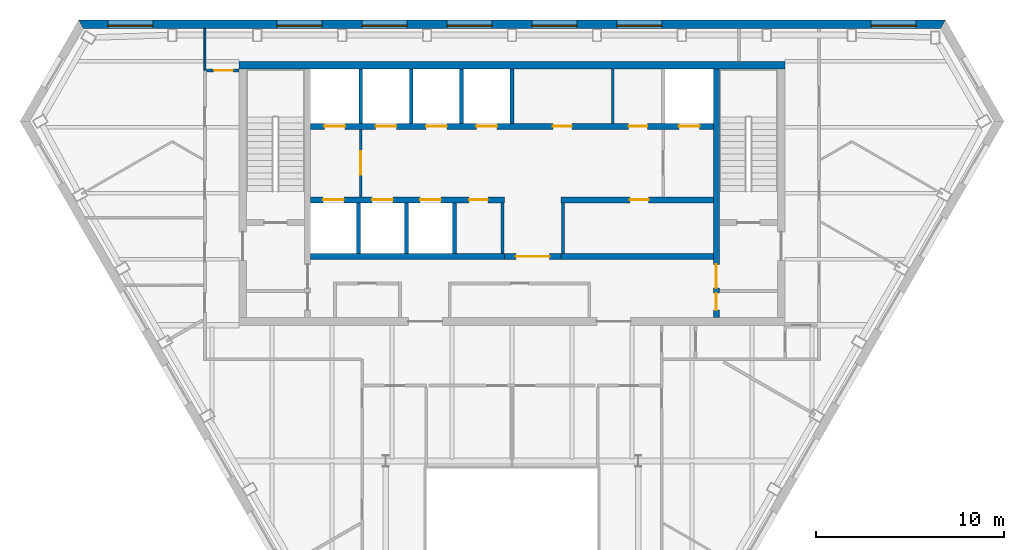
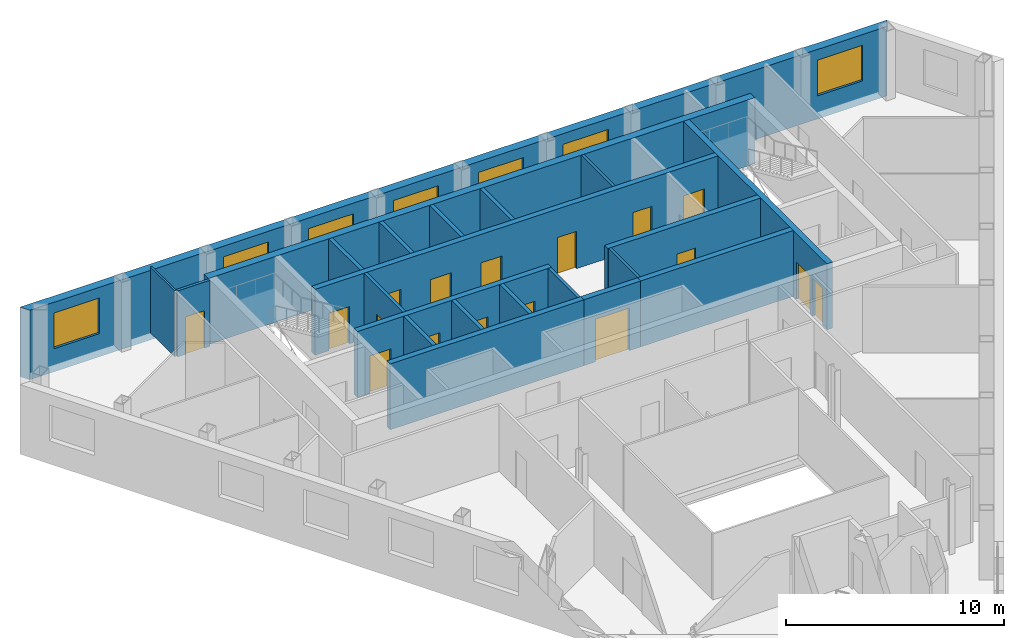
# One storey, part 6 of 10: 22 walls, 17 doors, 7 windows, 24 openings.
"""IFC4 building model written with IfcOpenShell, lengths in metres."""

from ifc_helpers import new_model, si_unit, direction, frame, frame_2d, origin, place, context, subcontext, project, spatial, polyline, rectangle, outline, extrude, material, layer, layer_set, type_object, element, fill, save


model = new_model("IFC4")

# Units and contexts
model_context = context("Model", 3, precision=1e-05, world=origin(), true_north=direction((0.0, 1.0)))
body_context = subcontext(model_context, "Body", "Model", "MODEL_VIEW")
ifc_project = project(units=[si_unit("LENGTHUNIT", "METRE"), si_unit("AREAUNIT", "SQUARE_METRE"), si_unit("VOLUMEUNIT", "CUBIC_METRE"), si_unit("PLANEANGLEUNIT", "RADIAN"), si_unit("MASSUNIT", "GRAM", prefix="KILO")], contexts=[model_context])

# Site, building, storey
site_placement = place(None, origin())
site = spatial("IfcSite", under=ifc_project, at=site_placement, CompositionType="ELEMENT")
building_placement = place(site_placement, origin())
building = spatial("IfcBuilding", under=site, at=building_placement, Name="Njiva Tower", CompositionType="ELEMENT")
storey_placement = place(building_placement, frame((0.0, 0.0, 249.3)))
storey = spatial("IfcBuildingStorey", under=building, at=storey_placement, Name="L56", CompositionType="ELEMENT", Elevation=249.3)

# Walls
ifc_material_1 = material(Name="Blockwork", Category="masonry")
ifc_layer_1 = layer(ifc_material_1, 0.15)
ifc_layer_set_1 = layer_set([ifc_layer_1], Name="Blockwork")
wall_type_1 = type_object("IfcWallType", Name="WT1 Compartment partition 150", PredefinedType="PARTITIONING", material=ifc_layer_set_1)
wall_1_placement = place(storey_placement, frame((5.35, 14.7, 0.0), z_axis=(0.0, 0.0, 1.0), x_axis=(0.0, 1.0, 0.0)))
element("IfcWall", 1, at=wall_1_placement, inside=storey, type_object=wall_type_1, Name="Partition CN6", PredefinedType="PARTITIONING", context=body_context, shape_type="SweptSolid", body=[
    extrude(rectangle(XDim=2.9, YDim=0.15, at=frame_2d((1.45, 0.0))), origin(), (0.0, 0.0, 1.0), 3.7),
])
for number, where, z_axis, x_axis, name in (
    (2, (-0.5, 7.8, 0.0), (0.0, 0.0, 1.0), (0.0, 1.0, 0.0), "Partition CS4"),
    (3, (2.7, 7.8, 0.0), (0.0, 0.0, 1.0), (0.0, 1.0, 0.0), "Partition CS5"),
):
    element("IfcWall", number, at=place(storey_placement, frame(where, z_axis=z_axis, x_axis=x_axis)), inside=storey, type_object=wall_type_1, Name=name, PredefinedType="PARTITIONING", context=body_context, shape_type="SweptSolid", body=[
        extrude(rectangle(XDim=2.7, YDim=0.15, at=frame_2d((1.35, 0.0))), origin(), (0.0, 0.0, 1.0), 3.7),
    ])

# Wall, openings, doors
ifc_material_2 = material(Name="Concrete C40/50", Category="concrete")
ifc_layer_2 = layer(ifc_material_2, 0.3)
ifc_layer_set_2 = layer_set([ifc_layer_2], Name="Concrete C40/50")
wall_type_2 = type_object("IfcWallType", Name="WT10 Stair enclosure wall 300", PredefinedType="SHEAR", material=ifc_layer_set_2)
wall_2_placement = place(storey_placement, frame((10.85, 4.4, 0.0), z_axis=(0.0, 0.0, 1.0), x_axis=(0.0, 1.0, 0.0)))
wall_2 = element("IfcWall", 4, at=wall_2_placement, inside=storey, type_object=wall_type_2, Name="Stair wall east inner", PredefinedType="SHEAR", context=body_context, shape_type="SweptSolid", body=[
    extrude(rectangle(XDim=13.2, YDim=0.3, at=frame_2d((6.6, 0.0))), origin(), (0.0, 0.0, 1.0), 3.7),
])
opening_1_placement = place(wall_2_placement, frame((1.575, 0.0, 0.0)))
opening_1 = element("IfcOpeningElement", 5, at=opening_1_placement, cuts=wall_2, Name="Opening S18-D920", PredefinedType="OPENING", context=body_context, shape_type="SweptSolid", body=[
    extrude(rectangle(XDim=1.25, YDim=2.1, at=frame_2d((0.625, 1.05))), frame((0.0, 0.16, 0.0), z_axis=(0.0, -1.0, 0.0), x_axis=(1.0, 0.0, 0.0)), (0.0, 0.0, 1.0), 0.32),
])
opening_2_placement = place(wall_2_placement, frame((0.4, 0.0, 0.0)))
opening_2 = element("IfcOpeningElement", 6, at=opening_2_placement, cuts=wall_2, Name="Opening S18-D922", PredefinedType="OPENING", context=body_context, shape_type="SweptSolid", body=[
    extrude(rectangle(XDim=0.9, YDim=2.1, at=frame_2d((0.45, 1.05))), frame((0.0, 0.16, 0.0), z_axis=(0.0, -1.0, 0.0), x_axis=(1.0, 0.0, 0.0)), (0.0, 0.0, 1.0), 0.32),
])
ifc_material_3 = material(Name="Steel door, painted", Category="steel")
door_type_1 = type_object("IfcDoorType", Name="D13 Steel door 900x2100", OperationType="SINGLE_SWING_LEFT", PredefinedType="DOOR", material=ifc_material_3)
door_1_placement = place(opening_2_placement, origin())
door_1 = element("IfcDoor", 7, at=door_1_placement, inside=storey, type_object=door_type_1, Name="Breakout room door", OperationType="SINGLE_SWING_LEFT", OverallHeight=2.1, OverallWidth=0.9, PredefinedType="DOOR", context=body_context, shape_type="SweptSolid", body=[
    extrude(rectangle(XDim=0.9, YDim=2.1, at=frame_2d((0.45, 1.05))), frame((0.0, 0.025, 0.0), z_axis=(0.0, -1.0, 0.0), x_axis=(1.0, 0.0, 0.0)), (0.0, 0.0, 1.0), 0.05),
])
fill(opening_2, door_1)
ifc_material_4 = material(Name="Glazed steel fire door", Category="steel")
door_type_2 = type_object("IfcDoorType", Name="D8 Vestibule corridor door 1250x2100 glazed", OperationType="SINGLE_SWING_LEFT", PredefinedType="DOOR", material=ifc_material_4)
door_2_placement = place(opening_1_placement, origin())
door_2 = element("IfcDoor", 8, at=door_2_placement, inside=storey, type_object=door_type_2, Name="Stair vestibule corridor door", OperationType="SINGLE_SWING_RIGHT", OverallHeight=2.1, OverallWidth=1.25, PredefinedType="DOOR", context=body_context, shape_type="SweptSolid", body=[
    extrude(rectangle(XDim=1.25, YDim=2.1, at=frame_2d((0.625, 1.05))), frame((0.0, 0.025, 0.0), z_axis=(0.0, -1.0, 0.0), x_axis=(1.0, 0.0, 0.0)), (0.0, 0.0, 1.0), 0.05),
])
fill(opening_1, door_2)

# Wall
ifc_material_5 = material(Name="Concrete C60/75", Category="concrete")
ifc_layer_3 = layer(ifc_material_5, 0.4)
ifc_layer_set_3 = layer_set([ifc_layer_3], Name="Concrete C60/75")
wall_type_3 = type_object("IfcWallType", Name="WT11 Core wall 400", PredefinedType="SHEAR", material=ifc_layer_set_3)
wall_3_placement = place(storey_placement, frame((-14.5, 17.8, 0.0), z_axis=(0.0, 0.0, 1.0), x_axis=(1.0, 0.0, 0.0)))
element("IfcWall", 9, at=wall_3_placement, inside=storey, type_object=wall_type_3, Name="Core wall north", PredefinedType="SHEAR", context=body_context, shape_type="SweptSolid", body=[
    extrude(rectangle(XDim=29.0, YDim=0.4, at=frame_2d((14.5, 0.0))), origin(), (0.0, 0.0, 1.0), 3.7),
])

# Wall, opening, door
ifc_layer_4 = layer(ifc_material_1, 0.15)
ifc_layer_set_4 = layer_set([ifc_layer_4], Name="Blockwork")
wall_type_4 = type_object("IfcWallType", Name="WT2 Lobby partition 150", PredefinedType="PARTITIONING", material=ifc_layer_set_4)
wall_4_placement = place(storey_placement, frame((-8.025, 10.8, 0.0), z_axis=(0.0, 0.0, 1.0), x_axis=(0.0, 1.0, 0.0)))
wall_4 = element("IfcWall", 10, at=wall_4_placement, inside=storey, type_object=wall_type_4, Name="Firefighting lobby wall A", PredefinedType="PARTITIONING", context=body_context, shape_type="SweptSolid", body=[
    extrude(rectangle(XDim=3.6, YDim=0.15, at=frame_2d((1.8, 0.0))), origin(), (0.0, 0.0, 1.0), 3.7),
])
opening_3_placement = place(wall_4_placement, frame((1.175, 0.0, 0.0)))
opening_3 = element("IfcOpeningElement", 11, at=opening_3_placement, cuts=wall_4, Name="Opening S18-D913", PredefinedType="OPENING", context=body_context, shape_type="SweptSolid", body=[
    extrude(rectangle(XDim=1.25, YDim=2.1, at=frame_2d((0.625, 1.05))), frame((0.0, 0.085, 0.0), z_axis=(0.0, -1.0, 0.0), x_axis=(1.0, 0.0, 0.0)), (0.0, 0.0, 1.0), 0.17),
])
door_3_placement = place(opening_3_placement, origin())
door_3 = element("IfcDoor", 12, at=door_3_placement, inside=storey, type_object=door_type_2, Name="Stair vestibule corridor door", OperationType="SINGLE_SWING_RIGHT", OverallHeight=2.1, OverallWidth=1.25, PredefinedType="DOOR", context=body_context, shape_type="SweptSolid", body=[
    extrude(rectangle(XDim=1.25, YDim=2.1, at=frame_2d((0.625, 1.05))), frame((0.0, 0.025, 0.0), z_axis=(0.0, -1.0, 0.0), x_axis=(1.0, 0.0, 0.0)), (0.0, 0.0, 1.0), 0.05),
])
fill(opening_3, door_3)

# Wall
ifc_material_6 = material(Name="Gypsum board on steel studs", Category="gypsum")
ifc_layer_5 = layer(ifc_material_6, 0.1)
ifc_layer_set_5 = layer_set([ifc_layer_5], Name="Gypsum board on steel studs")
wall_type_5 = type_object("IfcWallType", Name="WT20 Gypsum partition 100", PredefinedType="PARTITIONING", material=ifc_layer_set_5)
wall_5_placement = place(storey_placement, frame((-16.3, 17.531, 0.0), z_axis=(0.0, 0.0, 1.0), x_axis=(0.0, 1.0, 0.0)))
element("IfcWall", 13, at=wall_5_placement, inside=storey, type_object=wall_type_5, Name="Partition S18-P007", PredefinedType="PARTITIONING", context=body_context, shape_type="SweptSolid", body=[
    extrude(rectangle(XDim=2.219, YDim=0.1, at=frame_2d((1.1095, 0.0))), origin(), (0.0, 0.0, 1.0), 3.7),
])

# Wall, opening, door
ifc_layer_6 = layer(ifc_material_6, 0.15)
ifc_layer_set_6 = layer_set([ifc_layer_6], Name="Gypsum board on steel studs")
wall_type_6 = type_object("IfcWallType", Name="WT21 Compartment wall 150", PredefinedType="PARTITIONING", material=ifc_layer_set_6)
wall_6_placement = place(storey_placement, frame((-16.225, 17.519, 0.0), z_axis=(0.0, 0.0, 1.0), x_axis=(1.0, 0.0, 0.0)))
wall_6 = element("IfcWall", 14, at=wall_6_placement, inside=storey, type_object=wall_type_6, Name="Partition S18-P009", PredefinedType="PARTITIONING", context=body_context, shape_type="SweptSolid", body=[
    extrude(rectangle(XDim=1.725, YDim=0.15, at=frame_2d((0.8625, 0.0))), origin(), (0.0, 0.0, 1.0), 3.7),
])
opening_4_placement = place(wall_6_placement, frame((0.417, 0.0, 0.0)))
opening_4 = element("IfcOpeningElement", 15, at=opening_4_placement, cuts=wall_6, Name="Opening S18-D005", PredefinedType="OPENING", context=body_context, shape_type="SweptSolid", body=[
    extrude(rectangle(XDim=1.0, YDim=2.1, at=frame_2d((0.5, 1.05))), frame((0.0, 0.085, 0.0), z_axis=(0.0, -1.0, 0.0), x_axis=(1.0, 0.0, 0.0)), (0.0, 0.0, 1.0), 0.17),
])
ifc_material_7 = material(Name="Steel fire door set", Category="steel")
door_type_3 = type_object("IfcDoorType", Name="D37 Fire door 1000x2100", OperationType="SINGLE_SWING_LEFT", PredefinedType="DOOR", material=ifc_material_7)
door_4_placement = place(opening_4_placement, origin())
door_4 = element("IfcDoor", 16, at=door_4_placement, inside=storey, type_object=door_type_3, Name="Door S18-D005", OperationType="SINGLE_SWING_LEFT", OverallHeight=2.1, OverallWidth=1.0, PredefinedType="DOOR", context=body_context, shape_type="SweptSolid", body=[
    extrude(rectangle(XDim=1.0, YDim=2.1, at=frame_2d((0.5, 1.05))), frame((0.0, 0.025, 0.0), z_axis=(0.0, -1.0, 0.0), x_axis=(1.0, 0.0, 0.0)), (0.0, 0.0, 1.0), 0.05),
])
fill(opening_4, door_4)

ifc_layer_7 = layer(ifc_material_1, 0.3)
ifc_layer_set_7 = layer_set([ifc_layer_7], Name="Blockwork")
wall_type_7 = type_object("IfcWallType", Name="WT5 Lobby partition 300", PredefinedType="PARTITIONING", material=ifc_layer_set_7)
wall_7_placement = place(storey_placement, frame((-0.4, 7.65, 0.0), z_axis=(0.0, 0.0, 1.0), x_axis=(1.0, 0.0, 0.0)))
wall_7 = element("IfcWall", 17, at=wall_7_placement, inside=storey, type_object=wall_type_7, Name="Lift lobby screen wall", PredefinedType="PARTITIONING", context=body_context, shape_type="SweptSolid", body=[
    extrude(rectangle(XDim=3.0, YDim=0.3, at=frame_2d((1.5, 0.0))), origin(), (0.0, 0.0, 1.0), 3.7),
])
opening_5_placement = place(wall_7_placement, frame((0.6, 0.0, 0.0)))
opening_5 = element("IfcOpeningElement", 18, at=opening_5_placement, cuts=wall_7, Name="Opening S18-D925", PredefinedType="OPENING", context=body_context, shape_type="SweptSolid", body=[
    extrude(rectangle(XDim=1.8, YDim=2.4, at=frame_2d((0.9, 1.2))), frame((0.0, 0.16, 0.0), z_axis=(0.0, -1.0, 0.0), x_axis=(1.0, 0.0, 0.0)), (0.0, 0.0, 1.0), 0.32),
])
ifc_material_8 = material(Name="Steel and glass door", Category="steel")
door_type_4 = type_object("IfcDoorType", Name="D3 Core entrance door 1800x2400", OperationType="DOUBLE_DOOR_SINGLE_SWING", PredefinedType="DOOR", material=ifc_material_8)
door_5_placement = place(opening_5_placement, origin())
door_5 = element("IfcDoor", 19, at=door_5_placement, inside=storey, type_object=door_type_4, Name="Core entrance door", OperationType="DOUBLE_DOOR_SINGLE_SWING", OverallHeight=2.4, OverallWidth=1.8, PredefinedType="DOOR", context=body_context, shape_type="SweptSolid", body=[
    extrude(rectangle(XDim=1.8, YDim=2.4, at=frame_2d((0.9, 1.2))), frame((0.0, 0.025, 0.0), z_axis=(0.0, -1.0, 0.0), x_axis=(1.0, 0.0, 0.0)), (0.0, 0.0, 1.0), 0.05),
])
fill(opening_5, door_5)

# Walls
ifc_layer_8 = layer(ifc_material_2, 0.2)
ifc_layer_set_8 = layer_set([ifc_layer_8], Name="Concrete C40/50")
wall_type_8 = type_object("IfcWallType", Name="WT6 Lift shaft wall 200", PredefinedType="SHEAR", material=ifc_layer_set_8)
for number, where, z_axis, x_axis, name in (
    (20, (-8.025, 14.7, 0.0), (0.0, 0.0, 1.0), (0.0, 1.0, 0.0), "Shaft wall CN1"),
    (21, (-5.35, 14.7, 0.0), (0.0, 0.0, 1.0), (0.0, 1.0, 0.0), "Shaft wall CN2"),
    (22, (-2.675, 14.7, 0.0), (0.0, 0.0, 1.0), (0.0, 1.0, 0.0), "Shaft wall CN3"),
    (23, (0.0, 14.7, 0.0), (0.0, 0.0, 1.0), (0.0, 1.0, 0.0), "Shaft wall CN4"),
):
    element("IfcWall", number, at=place(storey_placement, frame(where, z_axis=z_axis, x_axis=x_axis)), inside=storey, type_object=wall_type_8, Name=name, PredefinedType="SHEAR", context=body_context, shape_type="SweptSolid", body=[
        extrude(rectangle(XDim=2.9, YDim=0.2, at=frame_2d((1.45, 0.0))), origin(), (0.0, 0.0, 1.0), 3.7),
    ])
for number, where, z_axis, x_axis, name in (
    (24, (-8.15, 7.8, 0.0), (0.0, 0.0, 1.0), (0.0, 1.0, 0.0), "Shaft wall CS1"),
    (25, (-5.6, 7.8, 0.0), (0.0, 0.0, 1.0), (0.0, 1.0, 0.0), "Shaft wall CS2"),
    (26, (-3.05, 7.8, 0.0), (0.0, 0.0, 1.0), (0.0, 1.0, 0.0), "Shaft wall CS3"),
):
    element("IfcWall", number, at=place(storey_placement, frame(where, z_axis=z_axis, x_axis=x_axis)), inside=storey, type_object=wall_type_8, Name=name, PredefinedType="SHEAR", context=body_context, shape_type="SweptSolid", body=[
        extrude(rectangle(XDim=2.7, YDim=0.2, at=frame_2d((1.35, 0.0))), origin(), (0.0, 0.0, 1.0), 3.7),
    ])

# Wall, openings, doors
ifc_layer_9 = layer(ifc_material_2, 0.3)
ifc_layer_set_9 = layer_set([ifc_layer_9], Name="Concrete C40/50")
wall_type_9 = type_object("IfcWallType", Name="WT7 Lift shaft wall 300", PredefinedType="SHEAR", material=ifc_layer_set_9)
wall_8_placement = place(storey_placement, frame((-10.7, 14.55, 0.0), z_axis=(0.0, 0.0, 1.0), x_axis=(1.0, 0.0, 0.0)))
wall_8 = element("IfcWall", 27, at=wall_8_placement, inside=storey, type_object=wall_type_9, Name="Shaft wall north row lobby side", PredefinedType="SHEAR", context=body_context, shape_type="SweptSolid", body=[
    extrude(rectangle(XDim=21.4, YDim=0.3, at=frame_2d((10.7, 0.0))), origin(), (0.0, 0.0, 1.0), 3.7),
])
opening_6_placement = place(wall_8_placement, frame((0.7375, 0.0, 0.0)))
opening_6 = element("IfcOpeningElement", 28, at=opening_6_placement, cuts=wall_8, Name="Opening S18-D901", PredefinedType="OPENING", context=body_context, shape_type="SweptSolid", body=[
    extrude(rectangle(XDim=1.1, YDim=2.1, at=frame_2d((0.55, 1.05))), frame((0.0, 0.16, 0.0), z_axis=(0.0, -1.0, 0.0), x_axis=(1.0, 0.0, 0.0)), (0.0, 0.0, 1.0), 0.32),
])
opening_7_placement = place(wall_8_placement, frame((3.4625, 0.0, 0.0)))
opening_7 = element("IfcOpeningElement", 29, at=opening_7_placement, cuts=wall_8, Name="Opening S18-D902", PredefinedType="OPENING", context=body_context, shape_type="SweptSolid", body=[
    extrude(rectangle(XDim=1.1, YDim=2.1, at=frame_2d((0.55, 1.05))), frame((0.0, 0.16, 0.0), z_axis=(0.0, -1.0, 0.0), x_axis=(1.0, 0.0, 0.0)), (0.0, 0.0, 1.0), 0.32),
])
opening_8_placement = place(wall_8_placement, frame((6.1375, 0.0, 0.0)))
opening_8 = element("IfcOpeningElement", 30, at=opening_8_placement, cuts=wall_8, Name="Opening S18-D903", PredefinedType="OPENING", context=body_context, shape_type="SweptSolid", body=[
    extrude(rectangle(XDim=1.1, YDim=2.1, at=frame_2d((0.55, 1.05))), frame((0.0, 0.16, 0.0), z_axis=(0.0, -1.0, 0.0), x_axis=(1.0, 0.0, 0.0)), (0.0, 0.0, 1.0), 0.32),
])
opening_9_placement = place(wall_8_placement, frame((8.8125, 0.0, 0.0)))
opening_9 = element("IfcOpeningElement", 31, at=opening_9_placement, cuts=wall_8, Name="Opening S18-D904", PredefinedType="OPENING", context=body_context, shape_type="SweptSolid", body=[
    extrude(rectangle(XDim=1.1, YDim=2.1, at=frame_2d((0.55, 1.05))), frame((0.0, 0.16, 0.0), z_axis=(0.0, -1.0, 0.0), x_axis=(1.0, 0.0, 0.0)), (0.0, 0.0, 1.0), 0.32),
])
opening_10_placement = place(wall_8_placement, frame((19.5625, 0.0, 0.0)))
opening_10 = element("IfcOpeningElement", 32, at=opening_10_placement, cuts=wall_8, Name="Opening S18-D905", PredefinedType="OPENING", context=body_context, shape_type="SweptSolid", body=[
    extrude(rectangle(XDim=1.1, YDim=2.1, at=frame_2d((0.55, 1.05))), frame((0.0, 0.16, 0.0), z_axis=(0.0, -1.0, 0.0), x_axis=(1.0, 0.0, 0.0)), (0.0, 0.0, 1.0), 0.32),
])
opening_11_placement = place(wall_8_placement, frame((12.875, 0.0, 0.0)))
opening_11 = element("IfcOpeningElement", 33, at=opening_11_placement, cuts=wall_8, Name="Opening S18-D909", PredefinedType="OPENING", context=body_context, shape_type="SweptSolid", body=[
    extrude(rectangle(XDim=1.0, YDim=2.1, at=frame_2d((0.5, 1.05))), frame((0.0, 0.16, 0.0), z_axis=(0.0, -1.0, 0.0), x_axis=(1.0, 0.0, 0.0)), (0.0, 0.0, 1.0), 0.32),
])
opening_12_placement = place(wall_8_placement, frame((16.8875, 0.0, 0.0)))
opening_12 = element("IfcOpeningElement", 34, at=opening_12_placement, cuts=wall_8, Name="Opening S18-D910", PredefinedType="OPENING", context=body_context, shape_type="SweptSolid", body=[
    extrude(rectangle(XDim=1.0, YDim=2.1, at=frame_2d((0.5, 1.05))), frame((0.0, 0.16, 0.0), z_axis=(0.0, -1.0, 0.0), x_axis=(1.0, 0.0, 0.0)), (0.0, 0.0, 1.0), 0.32),
])
door_type_5 = type_object("IfcDoorType", Name="D5 Steel door 1000x2100", OperationType="SINGLE_SWING_LEFT", PredefinedType="DOOR", material=ifc_material_3)
door_6_placement = place(opening_11_placement, origin())
door_6 = element("IfcDoor", 35, at=door_6_placement, inside=storey, type_object=door_type_5, Name="Breakout room door", OperationType="SINGLE_SWING_LEFT", OverallHeight=2.1, OverallWidth=1.0, PredefinedType="DOOR", context=body_context, shape_type="SweptSolid", body=[
    extrude(rectangle(XDim=1.0, YDim=2.1, at=frame_2d((0.5, 1.05))), frame((0.0, 0.025, 0.0), z_axis=(0.0, -1.0, 0.0), x_axis=(1.0, 0.0, 0.0)), (0.0, 0.0, 1.0), 0.05),
])
fill(opening_11, door_6)
door_7_placement = place(opening_12_placement, origin())
door_7 = element("IfcDoor", 36, at=door_7_placement, inside=storey, type_object=door_type_5, Name="Quiet room door", OperationType="SINGLE_SWING_LEFT", OverallHeight=2.1, OverallWidth=1.0, PredefinedType="DOOR", context=body_context, shape_type="SweptSolid", body=[
    extrude(rectangle(XDim=1.0, YDim=2.1, at=frame_2d((0.5, 1.05))), frame((0.0, 0.025, 0.0), z_axis=(0.0, -1.0, 0.0), x_axis=(1.0, 0.0, 0.0)), (0.0, 0.0, 1.0), 0.05),
])
fill(opening_12, door_7)
ifc_material_9 = material(Name="Stainless steel sliding door", Category="steel")
door_type_6 = type_object("IfcDoorType", Name="LD Lift landing door 1100x2100", OperationType="SLIDING_TO_LEFT", PredefinedType="DOOR", material=ifc_material_9)
door_8_placement = place(opening_6_placement, origin())
door_8 = element("IfcDoor", 37, at=door_8_placement, inside=storey, type_object=door_type_6, Name="Lift landing door FF1", OperationType="SLIDING_TO_LEFT", OverallHeight=2.1, OverallWidth=1.1, PredefinedType="DOOR", context=body_context, shape_type="SweptSolid", body=[
    extrude(rectangle(XDim=1.1, YDim=2.1, at=frame_2d((0.55, 1.05))), frame((0.0, 0.025, 0.0), z_axis=(0.0, -1.0, 0.0), x_axis=(1.0, 0.0, 0.0)), (0.0, 0.0, 1.0), 0.05),
])
fill(opening_6, door_8)
door_9_placement = place(opening_7_placement, origin())
door_9 = element("IfcDoor", 38, at=door_9_placement, inside=storey, type_object=door_type_6, Name="Lift landing door HB4", OperationType="SLIDING_TO_LEFT", OverallHeight=2.1, OverallWidth=1.1, PredefinedType="DOOR", context=body_context, shape_type="SweptSolid", body=[
    extrude(rectangle(XDim=1.1, YDim=2.1, at=frame_2d((0.55, 1.05))), frame((0.0, 0.025, 0.0), z_axis=(0.0, -1.0, 0.0), x_axis=(1.0, 0.0, 0.0)), (0.0, 0.0, 1.0), 0.05),
])
fill(opening_7, door_9)
door_10_placement = place(opening_8_placement, origin())
door_10 = element("IfcDoor", 39, at=door_10_placement, inside=storey, type_object=door_type_6, Name="Lift landing door HB5", OperationType="SLIDING_TO_LEFT", OverallHeight=2.1, OverallWidth=1.1, PredefinedType="DOOR", context=body_context, shape_type="SweptSolid", body=[
    extrude(rectangle(XDim=1.1, YDim=2.1, at=frame_2d((0.55, 1.05))), frame((0.0, 0.025, 0.0), z_axis=(0.0, -1.0, 0.0), x_axis=(1.0, 0.0, 0.0)), (0.0, 0.0, 1.0), 0.05),
])
fill(opening_8, door_10)
door_11_placement = place(opening_9_placement, origin())
door_11 = element("IfcDoor", 40, at=door_11_placement, inside=storey, type_object=door_type_6, Name="Lift landing door HB6", OperationType="SLIDING_TO_LEFT", OverallHeight=2.1, OverallWidth=1.1, PredefinedType="DOOR", context=body_context, shape_type="SweptSolid", body=[
    extrude(rectangle(XDim=1.1, YDim=2.1, at=frame_2d((0.55, 1.05))), frame((0.0, 0.025, 0.0), z_axis=(0.0, -1.0, 0.0), x_axis=(1.0, 0.0, 0.0)), (0.0, 0.0, 1.0), 0.05),
])
fill(opening_9, door_11)
door_12_placement = place(opening_10_placement, origin())
door_12 = element("IfcDoor", 41, at=door_12_placement, inside=storey, type_object=door_type_6, Name="Lift landing door FF2", OperationType="SLIDING_TO_LEFT", OverallHeight=2.1, OverallWidth=1.1, PredefinedType="DOOR", context=body_context, shape_type="SweptSolid", body=[
    extrude(rectangle(XDim=1.1, YDim=2.1, at=frame_2d((0.55, 1.05))), frame((0.0, 0.025, 0.0), z_axis=(0.0, -1.0, 0.0), x_axis=(1.0, 0.0, 0.0)), (0.0, 0.0, 1.0), 0.05),
])
fill(opening_10, door_12)

wall_9_placement = place(storey_placement, frame((-10.7, 10.65, 0.0), z_axis=(0.0, 0.0, 1.0), x_axis=(1.0, 0.0, 0.0)))
wall_9 = element("IfcWall", 42, at=wall_9_placement, inside=storey, type_object=wall_type_9, Name="Shaft wall south row lobby side W", PredefinedType="SHEAR", context=body_context, shape_type="SweptSolid", body=[
    extrude(rectangle(XDim=10.3, YDim=0.3, at=frame_2d((5.15, 0.0))), origin(), (0.0, 0.0, 1.0), 3.7),
])
opening_13_placement = place(wall_9_placement, frame((0.675, 0.0, 0.0)))
opening_13 = element("IfcOpeningElement", 43, at=opening_13_placement, cuts=wall_9, Name="Opening S18-D906", PredefinedType="OPENING", context=body_context, shape_type="SweptSolid", body=[
    extrude(rectangle(XDim=1.1, YDim=2.1, at=frame_2d((0.55, 1.05))), frame((0.0, 0.16, 0.0), z_axis=(0.0, -1.0, 0.0), x_axis=(1.0, 0.0, 0.0)), (0.0, 0.0, 1.0), 0.32),
])
opening_14_placement = place(wall_9_placement, frame((3.275, 0.0, 0.0)))
opening_14 = element("IfcOpeningElement", 44, at=opening_14_placement, cuts=wall_9, Name="Opening S18-D907", PredefinedType="OPENING", context=body_context, shape_type="SweptSolid", body=[
    extrude(rectangle(XDim=1.1, YDim=2.1, at=frame_2d((0.55, 1.05))), frame((0.0, 0.16, 0.0), z_axis=(0.0, -1.0, 0.0), x_axis=(1.0, 0.0, 0.0)), (0.0, 0.0, 1.0), 0.32),
])
opening_15_placement = place(wall_9_placement, frame((5.825, 0.0, 0.0)))
opening_15 = element("IfcOpeningElement", 45, at=opening_15_placement, cuts=wall_9, Name="Opening S18-D908", PredefinedType="OPENING", context=body_context, shape_type="SweptSolid", body=[
    extrude(rectangle(XDim=1.1, YDim=2.1, at=frame_2d((0.55, 1.05))), frame((0.0, 0.16, 0.0), z_axis=(0.0, -1.0, 0.0), x_axis=(1.0, 0.0, 0.0)), (0.0, 0.0, 1.0), 0.32),
])
opening_16_placement = place(wall_9_placement, frame((8.425, 0.0, 0.0)))
opening_16 = element("IfcOpeningElement", 46, at=opening_16_placement, cuts=wall_9, Name="Opening S18-D911", PredefinedType="OPENING", context=body_context, shape_type="SweptSolid", body=[
    extrude(rectangle(XDim=1.0, YDim=2.1, at=frame_2d((0.5, 1.05))), frame((0.0, 0.16, 0.0), z_axis=(0.0, -1.0, 0.0), x_axis=(1.0, 0.0, 0.0)), (0.0, 0.0, 1.0), 0.32),
])
door_13_placement = place(opening_16_placement, origin())
door_13 = element("IfcDoor", 47, at=door_13_placement, inside=storey, type_object=door_type_5, Name="Reading room door", OperationType="SINGLE_SWING_RIGHT", OverallHeight=2.1, OverallWidth=1.0, PredefinedType="DOOR", context=body_context, shape_type="SweptSolid", body=[
    extrude(rectangle(XDim=1.0, YDim=2.1, at=frame_2d((0.5, 1.05))), frame((0.0, 0.025, 0.0), z_axis=(0.0, -1.0, 0.0), x_axis=(1.0, 0.0, 0.0)), (0.0, 0.0, 1.0), 0.05),
])
fill(opening_16, door_13)
door_14_placement = place(opening_13_placement, origin())
door_14 = element("IfcDoor", 48, at=door_14_placement, inside=storey, type_object=door_type_6, Name="Lift landing door HB1", OperationType="SLIDING_TO_LEFT", OverallHeight=2.1, OverallWidth=1.1, PredefinedType="DOOR", context=body_context, shape_type="SweptSolid", body=[
    extrude(rectangle(XDim=1.1, YDim=2.1, at=frame_2d((0.55, 1.05))), frame((0.0, 0.025, 0.0), z_axis=(0.0, -1.0, 0.0), x_axis=(1.0, 0.0, 0.0)), (0.0, 0.0, 1.0), 0.05),
])
fill(opening_13, door_14)
door_15_placement = place(opening_14_placement, origin())
door_15 = element("IfcDoor", 49, at=door_15_placement, inside=storey, type_object=door_type_6, Name="Lift landing door HB2", OperationType="SLIDING_TO_LEFT", OverallHeight=2.1, OverallWidth=1.1, PredefinedType="DOOR", context=body_context, shape_type="SweptSolid", body=[
    extrude(rectangle(XDim=1.1, YDim=2.1, at=frame_2d((0.55, 1.05))), frame((0.0, 0.025, 0.0), z_axis=(0.0, -1.0, 0.0), x_axis=(1.0, 0.0, 0.0)), (0.0, 0.0, 1.0), 0.05),
])
fill(opening_14, door_15)
door_16_placement = place(opening_15_placement, origin())
door_16 = element("IfcDoor", 50, at=door_16_placement, inside=storey, type_object=door_type_6, Name="Lift landing door HB3", OperationType="SLIDING_TO_LEFT", OverallHeight=2.1, OverallWidth=1.1, PredefinedType="DOOR", context=body_context, shape_type="SweptSolid", body=[
    extrude(rectangle(XDim=1.1, YDim=2.1, at=frame_2d((0.55, 1.05))), frame((0.0, 0.025, 0.0), z_axis=(0.0, -1.0, 0.0), x_axis=(1.0, 0.0, 0.0)), (0.0, 0.0, 1.0), 0.05),
])
fill(opening_15, door_16)

# Wall
wall_10_placement = place(storey_placement, frame((-10.7, 7.65, 0.0), z_axis=(0.0, 0.0, 1.0), x_axis=(1.0, 0.0, 0.0)))
element("IfcWall", 51, at=wall_10_placement, inside=storey, type_object=wall_type_9, Name="Shaft wall south row back W", PredefinedType="SHEAR", context=body_context, shape_type="SweptSolid", body=[
    extrude(rectangle(XDim=10.3, YDim=0.3, at=frame_2d((5.15, 0.0))), origin(), (0.0, 0.0, 1.0), 3.7),
])

# Wall, opening, door
wall_11_placement = place(storey_placement, frame((2.6, 10.65, 0.0), z_axis=(0.0, 0.0, 1.0), x_axis=(1.0, 0.0, 0.0)))
wall_11 = element("IfcWall", 52, at=wall_11_placement, inside=storey, type_object=wall_type_9, Name="Shaft wall south row lobby side E", PredefinedType="SHEAR", context=body_context, shape_type="SweptSolid", body=[
    extrude(rectangle(XDim=8.1, YDim=0.3, at=frame_2d((4.05, 0.0))), origin(), (0.0, 0.0, 1.0), 3.7),
])
opening_17_placement = place(wall_11_placement, frame((3.65, 0.0, 0.0)))
opening_17 = element("IfcOpeningElement", 53, at=opening_17_placement, cuts=wall_11, Name="Opening S18-D912", PredefinedType="OPENING", context=body_context, shape_type="SweptSolid", body=[
    extrude(rectangle(XDim=1.0, YDim=2.1, at=frame_2d((0.5, 1.05))), frame((0.0, 0.16, 0.0), z_axis=(0.0, -1.0, 0.0), x_axis=(1.0, 0.0, 0.0)), (0.0, 0.0, 1.0), 0.32),
])
door_17_placement = place(opening_17_placement, origin())
door_17 = element("IfcDoor", 54, at=door_17_placement, inside=storey, type_object=door_type_5, Name="Telecoms room door", OperationType="SINGLE_SWING_RIGHT", OverallHeight=2.1, OverallWidth=1.0, PredefinedType="DOOR", context=body_context, shape_type="SweptSolid", body=[
    extrude(rectangle(XDim=1.0, YDim=2.1, at=frame_2d((0.5, 1.05))), frame((0.0, 0.025, 0.0), z_axis=(0.0, -1.0, 0.0), x_axis=(1.0, 0.0, 0.0)), (0.0, 0.0, 1.0), 0.05),
])
fill(opening_17, door_17)

# Wall
wall_12_placement = place(storey_placement, frame((2.6, 7.65, 0.0), z_axis=(0.0, 0.0, 1.0), x_axis=(1.0, 0.0, 0.0)))
element("IfcWall", 55, at=wall_12_placement, inside=storey, type_object=wall_type_9, Name="Shaft wall south row back E", PredefinedType="SHEAR", context=body_context, shape_type="SweptSolid", body=[
    extrude(rectangle(XDim=8.1, YDim=0.3, at=frame_2d((4.05, 0.0))), origin(), (0.0, 0.0, 1.0), 3.7),
])

# Wall, openings, windows
ifc_material_10 = material(Name="Brick masonry", Category="masonry")
ifc_layer_10 = layer(ifc_material_10, 0.45)
ifc_layer_set_10 = layer_set([ifc_layer_10], Name="Brick masonry")
wall_type_10 = type_object("IfcWallType", Name="WT90 Brick pier and spandrel wall 450", PredefinedType="SOLIDWALL", material=ifc_layer_set_10)
wall_13_placement = place(storey_placement, frame((22.8751, 19.975, -0.4), z_axis=(0.0, 0.0, 1.0), x_axis=(-1.0, 0.0, 0.0)))
wall_13 = element("IfcWall", 56, at=wall_13_placement, inside=storey, type_object=wall_type_10, Name="Facade wall N", PredefinedType="SOLIDWALL", context=body_context, shape_type="SweptSolid", body=[
    extrude(outline(polyline([(-0.1299, -0.225), (45.8801, -0.225), (45.6203, 0.225), (0.1299, 0.225), (-0.1299, -0.225)])), origin(), (0.0, 0.0, 1.0), 3.9),
])
opening_18_placement = place(wall_13_placement, frame((1.4247, 0.0, 1.3)))
opening_18 = element("IfcOpeningElement", 57, at=opening_18_placement, cuts=wall_13, Name="Opening S18-W01", PredefinedType="OPENING", context=body_context, shape_type="SweptSolid", body=[
    extrude(rectangle(XDim=2.4, YDim=2.0, at=frame_2d((1.2, 1.0))), frame((0.0, 0.235, 0.0), z_axis=(0.0, -1.0, 0.0), x_axis=(1.0, 0.0, 0.0)), (0.0, 0.0, 1.0), 0.47),
])
opening_19_placement = place(wall_13_placement, frame((14.9122, 0.0, 1.3)))
opening_19 = element("IfcOpeningElement", 58, at=opening_19_placement, cuts=wall_13, Name="Opening S18-W02", PredefinedType="OPENING", context=body_context, shape_type="SweptSolid", body=[
    extrude(rectangle(XDim=2.4, YDim=2.0, at=frame_2d((1.2, 1.0))), frame((0.0, 0.235, 0.0), z_axis=(0.0, -1.0, 0.0), x_axis=(1.0, 0.0, 0.0)), (0.0, 0.0, 1.0), 0.47),
])
opening_20_placement = place(wall_13_placement, frame((19.4208, 0.0, 1.3)))
opening_20 = element("IfcOpeningElement", 59, at=opening_20_placement, cuts=wall_13, Name="Opening S18-W03", PredefinedType="OPENING", context=body_context, shape_type="SweptSolid", body=[
    extrude(rectangle(XDim=2.4, YDim=2.0, at=frame_2d((1.2, 1.0))), frame((0.0, 0.235, 0.0), z_axis=(0.0, -1.0, 0.0), x_axis=(1.0, 0.0, 0.0)), (0.0, 0.0, 1.0), 0.47),
])
opening_21_placement = place(wall_13_placement, frame((23.9294, 0.0, 1.3)))
opening_21 = element("IfcOpeningElement", 60, at=opening_21_placement, cuts=wall_13, Name="Opening S18-W04", PredefinedType="OPENING", context=body_context, shape_type="SweptSolid", body=[
    extrude(rectangle(XDim=2.4, YDim=2.0, at=frame_2d((1.2, 1.0))), frame((0.0, 0.235, 0.0), z_axis=(0.0, -1.0, 0.0), x_axis=(1.0, 0.0, 0.0)), (0.0, 0.0, 1.0), 0.47),
])
opening_22_placement = place(wall_13_placement, frame((28.438, 0.0, 1.3)))
opening_22 = element("IfcOpeningElement", 61, at=opening_22_placement, cuts=wall_13, Name="Opening S18-W05", PredefinedType="OPENING", context=body_context, shape_type="SweptSolid", body=[
    extrude(rectangle(XDim=2.4, YDim=2.0, at=frame_2d((1.2, 1.0))), frame((0.0, 0.235, 0.0), z_axis=(0.0, -1.0, 0.0), x_axis=(1.0, 0.0, 0.0)), (0.0, 0.0, 1.0), 0.47),
])
opening_23_placement = place(wall_13_placement, frame((32.9466, 0.0, 1.3)))
opening_23 = element("IfcOpeningElement", 62, at=opening_23_placement, cuts=wall_13, Name="Opening S18-W06", PredefinedType="OPENING", context=body_context, shape_type="SweptSolid", body=[
    extrude(rectangle(XDim=2.4, YDim=2.0, at=frame_2d((1.2, 1.0))), frame((0.0, 0.235, 0.0), z_axis=(0.0, -1.0, 0.0), x_axis=(1.0, 0.0, 0.0)), (0.0, 0.0, 1.0), 0.47),
])
opening_24_placement = place(wall_13_placement, frame((41.9255, 0.0, 1.3)))
opening_24 = element("IfcOpeningElement", 63, at=opening_24_placement, cuts=wall_13, Name="Opening S18-W07", PredefinedType="OPENING", context=body_context, shape_type="SweptSolid", body=[
    extrude(rectangle(XDim=2.4, YDim=2.0, at=frame_2d((1.2, 1.0))), frame((0.0, 0.235, 0.0), z_axis=(0.0, -1.0, 0.0), x_axis=(1.0, 0.0, 0.0)), (0.0, 0.0, 1.0), 0.47),
])
ifc_material_11 = material(Name="Clear glazing in aluminium frame", Category="aluminium")
window_type = type_object("IfcWindowType", Name="W90 Deep-set window 2400x2000", PartitioningType="SINGLE_PANEL", PredefinedType="WINDOW", material=ifc_material_11)
window_1_placement = place(opening_18_placement, origin())
window_1 = element("IfcWindow", 64, at=window_1_placement, inside=storey, type_object=window_type, Name="Window", OverallHeight=2.0, OverallWidth=2.4, PartitioningType="SINGLE_PANEL", PredefinedType="WINDOW", context=body_context, shape_type="SweptSolid", body=[
    extrude(rectangle(XDim=2.4, YDim=2.0, at=frame_2d((1.2, 1.0))), frame((0.0, 0.105, 0.0), z_axis=(0.0, -1.0, 0.0), x_axis=(1.0, 0.0, 0.0)), (0.0, 0.0, 1.0), 0.06),
])
fill(opening_18, window_1)
window_2_placement = place(opening_19_placement, origin())
window_2 = element("IfcWindow", 65, at=window_2_placement, inside=storey, type_object=window_type, Name="Window", OverallHeight=2.0, OverallWidth=2.4, PartitioningType="SINGLE_PANEL", PredefinedType="WINDOW", context=body_context, shape_type="SweptSolid", body=[
    extrude(rectangle(XDim=2.4, YDim=2.0, at=frame_2d((1.2, 1.0))), frame((0.0, 0.105, 0.0), z_axis=(0.0, -1.0, 0.0), x_axis=(1.0, 0.0, 0.0)), (0.0, 0.0, 1.0), 0.06),
])
fill(opening_19, window_2)
window_3_placement = place(opening_20_placement, origin())
window_3 = element("IfcWindow", 66, at=window_3_placement, inside=storey, type_object=window_type, Name="Window", OverallHeight=2.0, OverallWidth=2.4, PartitioningType="SINGLE_PANEL", PredefinedType="WINDOW", context=body_context, shape_type="SweptSolid", body=[
    extrude(rectangle(XDim=2.4, YDim=2.0, at=frame_2d((1.2, 1.0))), frame((0.0, 0.105, 0.0), z_axis=(0.0, -1.0, 0.0), x_axis=(1.0, 0.0, 0.0)), (0.0, 0.0, 1.0), 0.06),
])
fill(opening_20, window_3)
window_4_placement = place(opening_21_placement, origin())
window_4 = element("IfcWindow", 67, at=window_4_placement, inside=storey, type_object=window_type, Name="Window", OverallHeight=2.0, OverallWidth=2.4, PartitioningType="SINGLE_PANEL", PredefinedType="WINDOW", context=body_context, shape_type="SweptSolid", body=[
    extrude(rectangle(XDim=2.4, YDim=2.0, at=frame_2d((1.2, 1.0))), frame((0.0, 0.105, 0.0), z_axis=(0.0, -1.0, 0.0), x_axis=(1.0, 0.0, 0.0)), (0.0, 0.0, 1.0), 0.06),
])
fill(opening_21, window_4)
window_5_placement = place(opening_22_placement, origin())
window_5 = element("IfcWindow", 68, at=window_5_placement, inside=storey, type_object=window_type, Name="Window", OverallHeight=2.0, OverallWidth=2.4, PartitioningType="SINGLE_PANEL", PredefinedType="WINDOW", context=body_context, shape_type="SweptSolid", body=[
    extrude(rectangle(XDim=2.4, YDim=2.0, at=frame_2d((1.2, 1.0))), frame((0.0, 0.105, 0.0), z_axis=(0.0, -1.0, 0.0), x_axis=(1.0, 0.0, 0.0)), (0.0, 0.0, 1.0), 0.06),
])
fill(opening_22, window_5)
window_6_placement = place(opening_23_placement, origin())
window_6 = element("IfcWindow", 69, at=window_6_placement, inside=storey, type_object=window_type, Name="Window", OverallHeight=2.0, OverallWidth=2.4, PartitioningType="SINGLE_PANEL", PredefinedType="WINDOW", context=body_context, shape_type="SweptSolid", body=[
    extrude(rectangle(XDim=2.4, YDim=2.0, at=frame_2d((1.2, 1.0))), frame((0.0, 0.105, 0.0), z_axis=(0.0, -1.0, 0.0), x_axis=(1.0, 0.0, 0.0)), (0.0, 0.0, 1.0), 0.06),
])
fill(opening_23, window_6)
window_7_placement = place(opening_24_placement, origin())
window_7 = element("IfcWindow", 70, at=window_7_placement, inside=storey, type_object=window_type, Name="Window", OverallHeight=2.0, OverallWidth=2.4, PartitioningType="SINGLE_PANEL", PredefinedType="WINDOW", context=body_context, shape_type="SweptSolid", body=[
    extrude(rectangle(XDim=2.4, YDim=2.0, at=frame_2d((1.2, 1.0))), frame((0.0, 0.105, 0.0), z_axis=(0.0, -1.0, 0.0), x_axis=(1.0, 0.0, 0.0)), (0.0, 0.0, 1.0), 0.06),
])
fill(opening_24, window_7)

save(model, "model.ifc")
